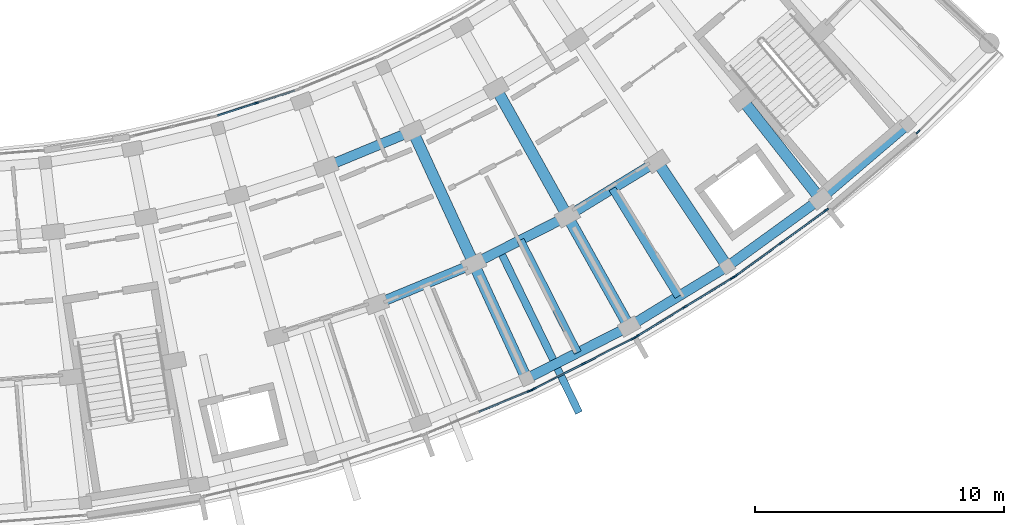
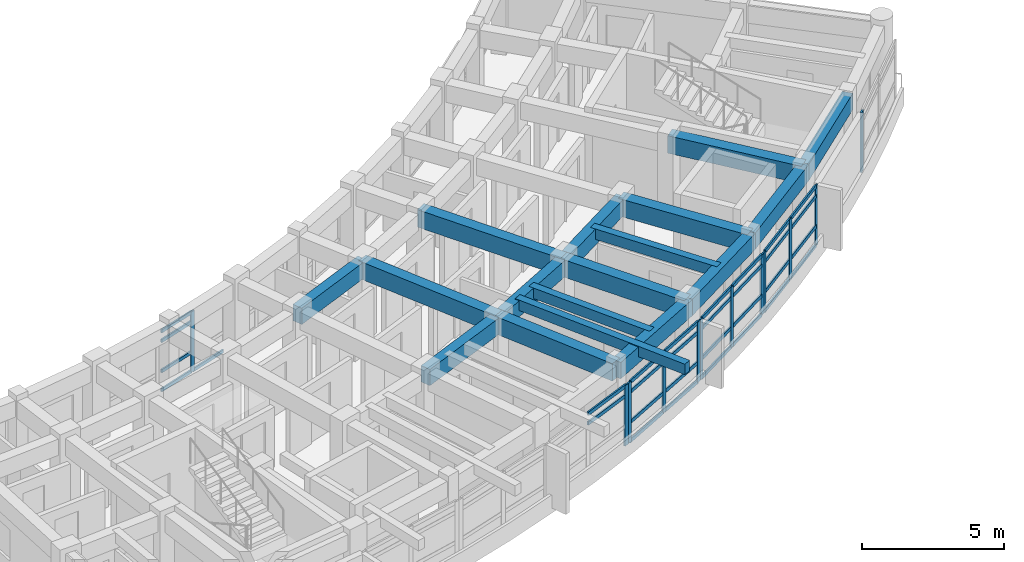
# One storey, part 38 of 83: 43 members, 17 beams, 6 elements without a shape of their own.
"""IFC4 building model written with IfcOpenShell, lengths in metres."""

import ifcopenshell
import ifcopenshell.guid

model = None  # the IFC model being written
_history = None  # IfcOwnerHistory: only IFC2X3 demands one
_inside = {}  # id of a spatial element -> (the spatial element, [elements in it])
_under = {}  # id of a project, library or spatial element -> (it, [spatial elements below it])
_declared = {}  # id of a project -> (the project, [libraries it declares])
_typed = {}  # id of a type object -> (the type object, [elements of that type])
_made_of = {}  # id of a material, layer set ... -> (it, [elements and type objects made of it])


def new_model(schema):
    """Start an empty IFC model of exactly this schema.

    Asked for "IFC4X3", IfcOpenShell would pick the latest addendum, in which some entities
    have other attributes; the version numbers below select the first issue.
    IFC2X3 requires an IfcOwnerHistory on every rooted entity: one is made here for all.
    """
    global model, _history
    if schema == "IFC4X3":
        model = ifcopenshell.file(schema_version=(4, 3, 0, 0))
    else:
        model = ifcopenshell.file(schema=schema)
    _inside.clear()
    _under.clear()
    _declared.clear()
    _typed.clear()
    _made_of.clear()
    _history = None
    if model.schema == "IFC2X3":
        org = make("IfcOrganization", Name="unknown")
        user = make(
            "IfcPersonAndOrganization",
            ThePerson=make("IfcPerson", FamilyName="unknown"),
            TheOrganization=org,
        )
        app = make(
            "IfcApplication",
            ApplicationDeveloper=org,
            Version="unknown",
            ApplicationFullName="unknown",
            ApplicationIdentifier="unknown",
        )
        _history = make(
            "IfcOwnerHistory",
            OwningUser=user,
            OwningApplication=app,
            ChangeAction="ADDED",
            CreationDate=0,
        )
    return model


def make(cls, **values):
    """One entity of the class cls with the attributes given. An attribute that is None is left unset."""
    return model.create_entity(
        cls, **{name: value for name, value in values.items() if value is not None}
    )


def rooted(cls, **values):
    """An entity with a GlobalId (a new one), such as an element, a storey or a relation."""
    return make(cls, GlobalId=ifcopenshell.guid.new(), OwnerHistory=_history, **values)


def si_unit(unit_type, name, prefix=None):
    """IfcSIUnit, for example si_unit("LENGTHUNIT", "METRE", prefix="MILLI")."""
    return make("IfcSIUnit", UnitType=unit_type, Prefix=prefix, Name=name)


def assignment(units):
    """IfcUnitAssignment: the units of a project."""
    return None if units is None else make("IfcUnitAssignment", Units=units)


def point(xyz):
    """IfcCartesianPoint."""
    return None if xyz is None else make("IfcCartesianPoint", Coordinates=xyz)


def direction(xyz):
    """IfcDirection."""
    return None if xyz is None else make("IfcDirection", DirectionRatios=xyz)


def frame(location, z_axis=None, x_axis=None):
    """IfcAxis2Placement3D, a coordinate frame: its origin and axes. An axis left out is left unset."""
    return make(
        "IfcAxis2Placement3D",
        Location=point(location),
        Axis=direction(z_axis),
        RefDirection=direction(x_axis),
    )


def frame_2d(location, x_axis=None):
    """IfcAxis2Placement2D, a coordinate frame in the plane: its origin and x axis."""
    return make(
        "IfcAxis2Placement2D", Location=point(location), RefDirection=direction(x_axis)
    )


def origin():
    """The frame at (0, 0, 0) with its axes left unset."""
    return frame((0.0, 0.0, 0.0))


def origin_2d():
    """The frame at (0, 0) in the plane with its x axis left unset."""
    return frame_2d((0.0, 0.0))


def place(relative_to, where):
    """IfcLocalPlacement: puts the frame where relative to a parent placement (None: the world)."""
    return make(
        "IfcLocalPlacement", PlacementRelTo=relative_to, RelativePlacement=where
    )


def context(
    kind, dimensions, precision=None, world=None, true_north=None, identifier=None
):
    """IfcGeometricRepresentationContext, for example the 3D "Model" context."""
    return make(
        "IfcGeometricRepresentationContext",
        ContextIdentifier=identifier,
        ContextType=kind,
        CoordinateSpaceDimension=dimensions,
        Precision=precision,
        WorldCoordinateSystem=world,
        TrueNorth=true_north,
    )


def subcontext(parent, identifier, kind, view, scale=None):
    """IfcGeometricRepresentationSubContext, for example "Body" below "Model"."""
    return make(
        "IfcGeometricRepresentationSubContext",
        ContextIdentifier=identifier,
        ContextType=kind,
        ParentContext=parent,
        TargetScale=scale,
        TargetView=view,
    )


def project(units=None, contexts=None):
    """IfcProject with its units and contexts."""
    return rooted(
        "IfcProject",
        Name="project",
        RepresentationContexts=contexts,
        UnitsInContext=assignment(units),
    )


def spatial(cls, under=None, at=None, **own):
    """A site, building, storey or space (cls), placed at a placement, below another one or the project."""
    s = rooted(cls, ObjectPlacement=at, **own)
    if under is not None:
        _under.setdefault(under.id(), (under, []))[1].append(s)
    return s


def profile(cls, at=None, kind="AREA", **sizes):
    """A parametric profile (cls). Its sizes go by their IFC names, for example OverallWidth=200.0."""
    return make(cls, ProfileType=kind, Position=at, **sizes)


def rectangle(**sizes):
    """IfcRectangleProfileDef."""
    return profile("IfcRectangleProfileDef", **sizes)


def extrude(swept, where, along, depth):
    """IfcExtrudedAreaSolid: the profile swept, set in the frame where, extruded along a direction by depth."""
    return make(
        "IfcExtrudedAreaSolid",
        SweptArea=swept,
        Position=where,
        ExtrudedDirection=direction(along),
        Depth=depth,
    )


def shape(context_of_items, identifier, shape_type, items):
    """IfcShapeRepresentation: the items that make up one representation, for example the "Body"."""
    return make(
        "IfcShapeRepresentation",
        ContextOfItems=context_of_items,
        RepresentationIdentifier=identifier,
        RepresentationType=shape_type,
        Items=items,
    )


def material(Name=None, Category=None):
    """IfcMaterial."""
    return make("IfcMaterial", Name=Name, Category=Category)


def material_profile(
    of_material, cross_section, Name=None, Category=None, Priority=None
):
    """IfcMaterialProfile: a cross section and its material."""
    return make(
        "IfcMaterialProfile",
        Name=Name,
        Material=of_material,
        Profile=cross_section,
        Priority=Priority,
        Category=Category,
    )


def profile_set(profiles, Name=None, composite=None):
    """IfcMaterialProfileSet."""
    return make(
        "IfcMaterialProfileSet",
        Name=Name,
        MaterialProfiles=profiles,
        CompositeProfile=composite,
    )


def made_of(thing, what):
    """Note that an element or type object is made of a material, layer set ...; save() writes the relation."""
    if what is not None:
        _made_of.setdefault(what.id(), (what, []))[1].append(thing)
    return thing


def type_object(cls, material=None, **own):
    """A type object (cls), such as IfcWallType, which elements share."""
    return made_of(rooted(cls, **own), material)


def element(
    cls,
    number,
    at=None,
    inside=None,
    cuts=None,
    type_object=None,
    material=None,
    context=None,
    identifier="Body",
    shape_type=None,
    held_by="IfcProductDefinitionShape",
    body=None,
    shapes=None,
    **own,
):
    """One element of the class cls, such as IfcWall. Its Tag is "e" and its number.

    at: its placement. inside: the storey or other place that contains it. cuts: it is an
    opening in that element (IfcRelVoidsElement). A single representation is given by context,
    identifier, shape_type and body (its items); several are given by shapes. held_by: the class
    of the entity that holds the representations. save() writes the other relations.
    """
    e = rooted(cls, Tag="e%d" % number, ObjectPlacement=at, **own)
    if body is not None:
        shapes = [shape(context, identifier, shape_type, body)]
    if shapes is not None:
        e.Representation = make(held_by, Representations=shapes)
    if inside is not None:
        _inside.setdefault(inside.id(), (inside, []))[1].append(e)
    if cuts is not None:
        rooted(
            "IfcRelVoidsElement", RelatingBuildingElement=cuts, RelatedOpeningElement=e
        )
    if type_object is not None:
        _typed.setdefault(type_object.id(), (type_object, []))[1].append(e)
    return made_of(e, material)


def aggregate(whole, parts):
    """IfcRelAggregates: a whole, such as a stair, and the parts it consists of."""
    return rooted("IfcRelAggregates", RelatingObject=whole, RelatedObjects=parts)


def save(model, path):
    """Write the relations noted so far, then the file.

    IfcRelAggregates (storeys below a building ...), IfcRelContainedInSpatialStructure (elements
    in a storey), IfcRelDefinesByType, IfcRelAssociatesMaterial and IfcRelDeclares: one each for
    every whole, place, type object, material and project.
    """
    for whole, parts in _under.values():
        aggregate(whole, parts)
    for where, things in _inside.values():
        rooted(
            "IfcRelContainedInSpatialStructure",
            RelatedElements=things,
            RelatingStructure=where,
        )
    for kind, things in _typed.values():
        rooted("IfcRelDefinesByType", RelatedObjects=things, RelatingType=kind)
    for what, things in _made_of.values():
        rooted("IfcRelAssociatesMaterial", RelatedObjects=things, RelatingMaterial=what)
    for by, libraries in _declared.values():
        rooted("IfcRelDeclares", RelatingContext=by, RelatedDefinitions=libraries)
    model.write(path)


model = new_model("IFC4")

# Units and contexts
model_context = context("Model", 3, precision=1e-05, world=origin(), true_north=direction((0.0, 1.0)))
body_context = subcontext(model_context, "Body", "Model", "MODEL_VIEW")
ifc_project = project(units=[si_unit("LENGTHUNIT", "METRE"), si_unit("AREAUNIT", "SQUARE_METRE"), si_unit("VOLUMEUNIT", "CUBIC_METRE"), si_unit("PLANEANGLEUNIT", "RADIAN"), si_unit("MASSUNIT", "GRAM", prefix="KILO")], contexts=[model_context])

# Site, building, storey
site_placement = place(None, origin())
site = spatial("IfcSite", under=ifc_project, at=site_placement, CompositionType="ELEMENT")
building_placement = place(site_placement, origin())
building = spatial("IfcBuilding", under=site, at=building_placement, Name="Zimvara Arc Housing Community", CompositionType="ELEMENT")
storey_placement = place(building_placement, frame((0.0, 0.0, 4.5)))
storey = spatial("IfcBuildingStorey", under=building, at=storey_placement, Name="L01", CompositionType="ELEMENT", Elevation=4.5)

# Beams
ifc_material_1 = material(Name="Concrete C40/50", Category="concrete")
ifc_material_profile_1 = material_profile(ifc_material_1, rectangle(XDim=0.300048828125, YDim=0.449951171875, at=origin_2d()), Name="RC 300x450")
ifc_profile_set_1 = profile_set([ifc_material_profile_1], Name="Concrete C40/50")
beam_type_1 = type_object("IfcBeamType", Name="BM-RC-300x450", PredefinedType="JOIST", material=ifc_profile_set_1)
for number, where, z_axis, x_axis, name in (
    (1, (150.343994140625, 61.939453125, 3.135009765625), (0.453225300679, -0.891395998883, 0.0), (0.891395998883, 0.453225300679, 0.0), "bm:blkD:L01:joist:b5"),
    (2, (154.02880859375, 63.998779296875, 3.135009765625), (0.521755418526, -0.85309511969, 0.0), (0.85309511969, 0.521755418526, 0.0), "bm:blkD:L01:joist:b6"),
):
    element("IfcBeam", number, at=place(storey_placement, frame(where, z_axis=z_axis, x_axis=x_axis)), inside=storey, type_object=beam_type_1, Name=name, PredefinedType="JOIST", context=body_context, shape_type="SweptSolid", body=[
        extrude(rectangle(XDim=0.300048828125, YDim=0.449951171875, at=origin_2d()), origin(), (0.0, 0.0, 1.0), 5.075927734375),
    ])
beam_1_placement = place(storey_placement, frame((149.530517578125, 61.488525390625, 3.1650390625), z_axis=(0.437747988068, -0.89909771379, 0.0), x_axis=(0.89909771379, 0.437747988068, 0.0)))
element("IfcBeam", 3, at=beam_1_placement, inside=storey, type_object=beam_type_1, Name="bm:blkD:L01:cant_out:b5", PredefinedType="JOIST", context=body_context, shape_type="SweptSolid", body=[
    extrude(rectangle(XDim=0.300048828125, YDim=0.449951171875, at=origin_2d()), origin(), (0.0, 0.0, 1.0), 7.22021484375),
])
ifc_material_2 = material(Name="Concrete C40/50", Category="concrete")
ifc_material_profile_2 = material_profile(ifc_material_2, rectangle(XDim=0.39990234375, YDim=0.699951171875, at=origin_2d()), Name="RC 400x700")
ifc_profile_set_2 = profile_set([ifc_material_profile_2], Name="Concrete C40/50")
beam_type_2 = type_object("IfcBeamType", Name="BM-RC-400x700", PredefinedType="BEAM", material=ifc_profile_set_2)
beam_2_placement = place(storey_placement, frame((142.526611328125, 64.887451171875, 3.010009765625), z_axis=(0.924224591922, 0.381849320658, 0.0), x_axis=(-0.381849320658, 0.924224591922, 0.0)))
element("IfcBeam", 4, at=beam_2_placement, inside=storey, type_object=beam_type_2, Name="bm:blkD:L01:chord:r1:b4", PredefinedType="BEAM", context=body_context, shape_type="SweptSolid", body=[
    extrude(rectangle(XDim=0.39990234375, YDim=0.699951171875, at=origin_2d()), origin(), (0.0, 0.0, 1.0), 3.7626953125),
])
beam_3_placement = place(storey_placement, frame((144.55712890625, 59.369140625, 3.010009765625), z_axis=(0.924220191381, 0.381859971512, 0.0), x_axis=(-0.381859971512, 0.924220191381, 0.0)))
element("IfcBeam", 5, at=beam_3_placement, inside=storey, type_object=beam_type_2, Name="bm:blkD:L01:chord:r2:b4", PredefinedType="BEAM", context=body_context, shape_type="SweptSolid", body=[
    extrude(rectangle(XDim=0.39990234375, YDim=0.699951171875, at=origin_2d()), origin(), (0.0, 0.0, 1.0), 4.22412109375),
])
for number, where, z_axis, x_axis, name in (
    (6, (148.461181640625, 60.982177734375, 3.010009765625), (0.891401751243, 0.453213986855, 0.0), (-0.453213986855, 0.891401751243, 0.0), "bm:blkD:L01:chord:r2:b5"),
    (7, (152.226806640625, 62.896728515625, 3.010009765625), (0.853091772331, 0.521760891579, 0.0), (-0.521760891579, 0.853091772331, 0.0), "bm:blkD:L01:chord:r2:b6"),
):
    element("IfcBeam", number, at=place(storey_placement, frame(where, z_axis=z_axis, x_axis=x_axis)), inside=storey, type_object=beam_type_2, Name=name, PredefinedType="BEAM", context=body_context, shape_type="SweptSolid", body=[
        extrude(rectangle(XDim=0.39990234375, YDim=0.699951171875, at=origin_2d()), origin(), (0.0, 0.0, 1.0), 4.224365234375),
    ])
for number, where, z_axis, x_axis, name in (
    (8, (150.583984375, 56.366943359375, 3.010009765625), (0.891386215037, 0.453244542871, 0.0), (-0.453244542871, 0.891386215037, 0.0), "bm:blkD:L01:chord:r3:b5"),
    (9, (154.705078125, 58.46240234375, 3.010009765625), (0.853105562062, 0.521738344363, 0.0), (-0.521738344363, 0.853105562062, 0.0), "bm:blkD:L01:chord:r3:b6"),
    (10, (158.649169921875, 60.87451171875, 3.010009765625), (0.809516329672, 0.587097361598, 0.0), (-0.587097361598, 0.809516329672, 0.0), "bm:blkD:L01:chord:r3:b7"),
    (11, (162.391845703125, 63.5888671875, 3.010009765625), (0.761009534972, 0.648740693715, 0.0), (-0.648740693715, 0.761009534972, 0.0), "bm:blkD:L01:chord:r3:b8"),
):
    element("IfcBeam", number, at=place(storey_placement, frame(where, z_axis=z_axis, x_axis=x_axis)), inside=storey, type_object=beam_type_2, Name=name, PredefinedType="BEAM", context=body_context, shape_type="SweptSolid", body=[
        extrude(rectangle(XDim=0.39990234375, YDim=0.699951171875, at=origin_2d()), origin(), (0.0, 0.0, 1.0), 4.623291015625),
    ])
ifc_material_3 = material(Name="Concrete C40/50", Category="concrete")
ifc_material_profile_3 = material_profile(ifc_material_3, rectangle(XDim=0.449951171875, YDim=0.75, at=origin_2d()), Name="RC 450x750")
ifc_profile_set_3 = profile_set([ifc_material_profile_3], Name="Concrete C40/50")
beam_type_3 = type_object("IfcBeamType", Name="BM-RC-450x750", PredefinedType="BEAM", material=ifc_profile_set_3)
beam_4_placement = place(storey_placement, frame((146.004150390625, 66.32421875, 2.985107421875), z_axis=(0.417862428621, -0.908510314056, 0.0), x_axis=(0.908510314056, 0.417862428621, 0.0)))
element("IfcBeam", 12, at=beam_4_placement, inside=storey, type_object=beam_type_3, Name="bm:blkD:L01:rad:b5:r12", PredefinedType="BEAM", context=body_context, shape_type="SweptSolid", body=[
    extrude(rectangle(XDim=0.449951171875, YDim=0.75, at=origin_2d()), origin(), (0.0, 0.0, 1.0), 5.8798828125),
])
beam_5_placement = place(storey_placement, frame((148.461181640625, 60.982177734375, 2.985107421875), z_axis=(0.417872288794, -0.90850577888, 0.0), x_axis=(0.90850577888, 0.417872288794, 0.0)))
element("IfcBeam", 13, at=beam_5_placement, inside=storey, type_object=beam_type_3, Name="bm:blkD:L01:rad:b5:r23", PredefinedType="BEAM", context=body_context, shape_type="SweptSolid", body=[
    extrude(rectangle(XDim=0.449951171875, YDim=0.75, at=origin_2d()), origin(), (0.0, 0.0, 1.0), 5.080078125),
])
beam_6_placement = place(storey_placement, frame((149.358154296875, 68.029541015625, 2.985107421875), z_axis=(0.487862302556, -0.872920599909, 0.0), x_axis=(0.872920599909, 0.487862302556, 0.0)))
element("IfcBeam", 14, at=beam_6_placement, inside=storey, type_object=beam_type_3, Name="bm:blkD:L01:rad:b6:r12", PredefinedType="BEAM", context=body_context, shape_type="SweptSolid", body=[
    extrude(rectangle(XDim=0.449951171875, YDim=0.75, at=origin_2d()), origin(), (0.0, 0.0, 1.0), 5.880126953125),
])
beam_7_placement = place(storey_placement, frame((152.226806640625, 62.896728515625, 2.985107421875), z_axis=(0.48786121213, -0.872921209331, 0.0), x_axis=(0.872921209331, 0.48786121213, 0.0)))
element("IfcBeam", 15, at=beam_7_placement, inside=storey, type_object=beam_type_3, Name="bm:blkD:L01:rad:b6:r23", PredefinedType="BEAM", context=body_context, shape_type="SweptSolid", body=[
    extrude(rectangle(XDim=0.449951171875, YDim=0.75, at=origin_2d()), origin(), (0.0, 0.0, 1.0), 5.079833984375),
])
beam_8_placement = place(storey_placement, frame((155.83056640625, 65.100830078125, 2.985107421875), z_axis=(0.554844365732, -0.83195416329, 0.0), x_axis=(0.83195416329, 0.554844365732, 0.0)))
element("IfcBeam", 16, at=beam_8_placement, inside=storey, type_object=beam_type_3, Name="bm:blkD:L01:rad:b7:r23", PredefinedType="BEAM", context=body_context, shape_type="SweptSolid", body=[
    extrude(rectangle(XDim=0.449951171875, YDim=0.75, at=origin_2d()), origin(), (0.0, 0.0, 1.0), 5.080078125),
])
beam_9_placement = place(storey_placement, frame((159.25048828125, 67.580810546875, 2.985107421875), z_axis=(0.618409338539, -0.785856150964, 0.0), x_axis=(0.785856150964, 0.618409338539, 0.0)))
element("IfcBeam", 17, at=beam_9_placement, inside=storey, type_object=beam_type_3, Name="bm:blkD:L01:rad:b8:r23", PredefinedType="BEAM", context=body_context, shape_type="SweptSolid", body=[
    extrude(rectangle(XDim=0.449951171875, YDim=0.75, at=origin_2d()), origin(), (0.0, 0.0, 1.0), 5.079833984375),
])

# Curtain wall, member
ifc_material_4 = material(Name="Anodised Aluminium AW-6063", Category="aluminium")
curtain_wall_type_1 = type_object("IfcCurtainWallType", Name="CW-SYS-02", PredefinedType="USERDEFINED", material=ifc_material_4)
curtain_wall_1_placement = place(storey_placement, origin())
curtain_wall_1 = element("IfcCurtainWall", 18, at=curtain_wall_1_placement, inside=storey, type_object=curtain_wall_type_1, Name="cw:blkD:L01:in:b3", ObjectType="CURTAIN WALL", PredefinedType="USERDEFINED")
ifc_material_5 = material(Name="Anodised Aluminium AW-6063", Category="aluminium")
ifc_material_profile_4 = material_profile(ifc_material_5, rectangle(XDim=0.06494140625, YDim=0.179931640625, at=origin_2d()), Name="ALU 65x180")
ifc_profile_set_4 = profile_set([ifc_material_profile_4], Name="Anodised Aluminium AW-6063")
member_type_1 = type_object("IfcMemberType", Name="CWM-65x150", PredefinedType="MULLION", material=ifc_profile_set_4)
member_1_placement = place(storey_placement, frame((139.720703125, 67.444580078125, 0.0), z_axis=(0.0, 0.0, 1.0), x_axis=(-0.308185223559, 0.951326373008, 0.0)))
member_1 = element("IfcMember", 19, at=member_1_placement, type_object=member_type_1, Name="CW02 mullion 2", PredefinedType="MULLION", context=body_context, shape_type="SweptSolid", body=[
    extrude(rectangle(XDim=0.06494140625, YDim=0.179931640625, at=origin_2d()), origin(), (0.0, 0.0, 1.0), 2.60009765625),
])

ifc_material_6 = material(Name="Anodised Aluminium AW-6063", Category="aluminium")
curtain_wall_type_2 = type_object("IfcCurtainWallType", Name="CW-SYS-03", PredefinedType="USERDEFINED", material=ifc_material_6)
curtain_wall_2_placement = place(storey_placement, origin())
curtain_wall_2 = element("IfcCurtainWall", 20, at=curtain_wall_2_placement, inside=storey, type_object=curtain_wall_type_2, Name="cw:blkD:L01:out:b4", ObjectType="CURTAIN WALL", PredefinedType="USERDEFINED")
ifc_material_7 = material(Name="Anodised Aluminium AW-6063", Category="aluminium")
ifc_material_profile_5 = material_profile(ifc_material_7, rectangle(XDim=0.06494140625, YDim=0.195068359375, at=origin_2d()), Name="ALU 65x195")
ifc_profile_set_5 = profile_set([ifc_material_profile_5], Name="Anodised Aluminium AW-6063")
member_type_2 = type_object("IfcMemberType", Name="CWM-65x180", PredefinedType="MULLION", material=ifc_profile_set_5)
member_2_placement = place(storey_placement, frame((150.70751953125, 55.87744140625, 0.0), z_axis=(0.0, 0.0, 1.0), x_axis=(-0.38187646221, 0.924213377749, 0.0)))
member_2 = element("IfcMember", 21, at=member_2_placement, type_object=member_type_2, Name="CW03 mullion 3", PredefinedType="MULLION", context=body_context, shape_type="SweptSolid", body=[
    extrude(rectangle(XDim=0.06494140625, YDim=0.195068359375, at=origin_2d()), origin(), (0.0, 0.0, 1.0), 2.60009765625),
])

# Curtain wall, members
ifc_material_8 = material(Name="Anodised Aluminium AW-6063", Category="aluminium")
curtain_wall_type_3 = type_object("IfcCurtainWallType", Name="CW-SYS-05", PredefinedType="USERDEFINED", material=ifc_material_8)
curtain_wall_3_placement = place(storey_placement, origin())
curtain_wall_3 = element("IfcCurtainWall", 22, at=curtain_wall_3_placement, inside=storey, type_object=curtain_wall_type_3, Name="cw:blkD:L01:out:b5", ObjectType="CURTAIN WALL", PredefinedType="USERDEFINED")
member_3_placement = place(storey_placement, frame((150.87548828125, 55.95458984375, 0.0), z_axis=(0.0, 0.0, 1.0), x_axis=(-0.453211662605, 0.891402932954, 0.0)))
member_3 = element("IfcMember", 23, at=member_3_placement, type_object=member_type_2, Name="CW05 mullion 1", PredefinedType="MULLION", context=body_context, shape_type="SweptSolid", body=[
    extrude(rectangle(XDim=0.06494140625, YDim=0.195068359375, at=origin_2d()), origin(), (0.0, 0.0, 1.0), 2.60009765625),
])
member_4_placement = place(storey_placement, frame((152.87109375, 56.96923828125, 0.0), z_axis=(0.0, 0.0, 1.0), x_axis=(-0.453211662605, 0.891402932954, 0.0)))
member_4 = element("IfcMember", 24, at=member_4_placement, type_object=member_type_2, Name="CW05 mullion 2", PredefinedType="MULLION", context=body_context, shape_type="SweptSolid", body=[
    extrude(rectangle(XDim=0.06494140625, YDim=0.195068359375, at=origin_2d()), origin(), (0.0, 0.0, 1.0), 2.60009765625),
])
member_5_placement = place(storey_placement, frame((154.86669921875, 57.98388671875, 0.0), z_axis=(0.0, 0.0, 1.0), x_axis=(-0.453211662605, 0.891402932954, 0.0)))
member_5 = element("IfcMember", 25, at=member_5_placement, type_object=member_type_2, Name="CW05 mullion 3", PredefinedType="MULLION", context=body_context, shape_type="SweptSolid", body=[
    extrude(rectangle(XDim=0.06494140625, YDim=0.195068359375, at=origin_2d()), origin(), (0.0, 0.0, 1.0), 2.60009765625),
])

ifc_material_9 = material(Name="Anodised Aluminium AW-6063", Category="aluminium")
curtain_wall_type_4 = type_object("IfcCurtainWallType", Name="CW-SYS-07", PredefinedType="USERDEFINED", material=ifc_material_9)
curtain_wall_4_placement = place(storey_placement, origin())
curtain_wall_4 = element("IfcCurtainWall", 26, at=curtain_wall_4_placement, inside=storey, type_object=curtain_wall_type_4, Name="cw:blkD:L01:out:b6", ObjectType="CURTAIN WALL", PredefinedType="USERDEFINED")
member_6_placement = place(storey_placement, frame((155.028076171875, 58.07421875, 0.0), z_axis=(0.0, 0.0, 1.0), x_axis=(-0.521754248513, 0.853095835272, 0.0)))
member_6 = element("IfcMember", 27, at=member_6_placement, type_object=member_type_2, Name="CW07 mullion 1", PredefinedType="MULLION", context=body_context, shape_type="SweptSolid", body=[
    extrude(rectangle(XDim=0.06494140625, YDim=0.195068359375, at=origin_2d()), origin(), (0.0, 0.0, 1.0), 2.60009765625),
])
member_7_placement = place(storey_placement, frame((156.93798828125, 59.2421875, 0.0), z_axis=(0.0, 0.0, 1.0), x_axis=(-0.521754248513, 0.853095835272, 0.0)))
member_7 = element("IfcMember", 28, at=member_7_placement, type_object=member_type_2, Name="CW07 mullion 2", PredefinedType="MULLION", context=body_context, shape_type="SweptSolid", body=[
    extrude(rectangle(XDim=0.06494140625, YDim=0.195068359375, at=origin_2d()), origin(), (0.0, 0.0, 1.0), 2.60009765625),
])
member_8_placement = place(storey_placement, frame((158.84765625, 60.410400390625, 0.0), z_axis=(0.0, 0.0, 1.0), x_axis=(-0.521754248513, 0.853095835272, 0.0)))
member_8 = element("IfcMember", 29, at=member_8_placement, type_object=member_type_2, Name="CW07 mullion 3", PredefinedType="MULLION", context=body_context, shape_type="SweptSolid", body=[
    extrude(rectangle(XDim=0.06494140625, YDim=0.195068359375, at=origin_2d()), origin(), (0.0, 0.0, 1.0), 2.60009765625),
])

ifc_material_10 = material(Name="Anodised Aluminium AW-6063", Category="aluminium")
curtain_wall_type_5 = type_object("IfcCurtainWallType", Name="CW-SYS-01", PredefinedType="USERDEFINED", material=ifc_material_10)
curtain_wall_5_placement = place(storey_placement, origin())
curtain_wall_5 = element("IfcCurtainWall", 30, at=curtain_wall_5_placement, inside=storey, type_object=curtain_wall_type_5, Name="cw:blkD:L01:out:b7", ObjectType="CURTAIN WALL", PredefinedType="USERDEFINED")
member_9_placement = place(storey_placement, frame((159.00146484375, 60.512939453125, 0.0), z_axis=(0.0, 0.0, 1.0), x_axis=(-0.587077917196, 0.809530431263, 0.0)))
member_9 = element("IfcMember", 31, at=member_9_placement, type_object=member_type_2, Name="CW01 mullion 1", PredefinedType="MULLION", context=body_context, shape_type="SweptSolid", body=[
    extrude(rectangle(XDim=0.06494140625, YDim=0.195068359375, at=origin_2d()), origin(), (0.0, 0.0, 1.0), 2.60009765625),
])
member_10_placement = place(storey_placement, frame((160.81396484375, 61.8271484375, 0.0), z_axis=(0.0, 0.0, 1.0), x_axis=(-0.587077917196, 0.809530431263, 0.0)))
member_10 = element("IfcMember", 32, at=member_10_placement, type_object=member_type_2, Name="CW01 mullion 2", PredefinedType="MULLION", context=body_context, shape_type="SweptSolid", body=[
    extrude(rectangle(XDim=0.06494140625, YDim=0.195068359375, at=origin_2d()), origin(), (0.0, 0.0, 1.0), 2.60009765625),
])
member_11_placement = place(storey_placement, frame((162.626220703125, 63.1416015625, 0.0), z_axis=(0.0, 0.0, 1.0), x_axis=(-0.587077917196, 0.809530431263, 0.0)))
member_11 = element("IfcMember", 33, at=member_11_placement, type_object=member_type_2, Name="CW01 mullion 3", PredefinedType="MULLION", context=body_context, shape_type="SweptSolid", body=[
    extrude(rectangle(XDim=0.06494140625, YDim=0.195068359375, at=origin_2d()), origin(), (0.0, 0.0, 1.0), 2.60009765625),
])

# Curtain wall, member
curtain_wall_6_placement = place(storey_placement, origin())
curtain_wall_6 = element("IfcCurtainWall", 34, at=curtain_wall_6_placement, inside=storey, type_object=curtain_wall_type_2, Name="cw:blkD:L01:out:b9", ObjectType="CURTAIN WALL", PredefinedType="USERDEFINED")
member_12_placement = place(storey_placement, frame((166.314697265625, 66.2861328125, 0.0), z_axis=(0.0, 0.0, 1.0), x_axis=(-0.706489010891, 0.707724012233, 0.0)))
member_12 = element("IfcMember", 35, at=member_12_placement, type_object=member_type_2, Name="CW03 mullion 1", PredefinedType="MULLION", context=body_context, shape_type="SweptSolid", body=[
    extrude(rectangle(XDim=0.06494140625, YDim=0.195068359375, at=origin_2d()), origin(), (0.0, 0.0, 1.0), 2.60009765625),
])
aggregate(curtain_wall_6, [member_12])

# Member
ifc_material_11 = material(Name="Anodised Aluminium AW-6063", Category="aluminium")
ifc_material_profile_6 = material_profile(ifc_material_11, rectangle(XDim=0.06494140625, YDim=0.139892578125, at=origin_2d()), Name="ALU 65x140")
ifc_profile_set_6 = profile_set([ifc_material_profile_6], Name="Anodised Aluminium AW-6063")
member_type_3 = type_object("IfcMemberType", Name="CWT-65x120", PredefinedType="USERDEFINED", material=ifc_profile_set_6)
member_13_placement = place(storey_placement, frame((138.173095703125, 66.943115234375, 0.032470703125), z_axis=(0.951299308569, 0.308268755336, 0.0), x_axis=(-0.308268755336, 0.951299308569, 0.0)))
member_13 = element("IfcMember", 36, at=member_13_placement, type_object=member_type_3, Name="CW02 transom 1.1", ObjectType="TRANSOM", PredefinedType="USERDEFINED", context=body_context, shape_type="SweptSolid", body=[
    extrude(rectangle(XDim=0.06494140625, YDim=0.139892578125, at=origin_2d()), origin(), (0.0, 0.0, 1.0), 1.59423828125),
])

member_14_placement = place(storey_placement, frame((138.173095703125, 66.943115234375, 0.85009765625), z_axis=(0.951299308569, 0.308268755336, 0.0), x_axis=(-0.308268755336, 0.951299308569, 0.0)))
member_14 = element("IfcMember", 37, at=member_14_placement, type_object=member_type_3, Name="CW02 transom 1.2", ObjectType="TRANSOM", PredefinedType="USERDEFINED", context=body_context, shape_type="SweptSolid", body=[
    extrude(rectangle(XDim=0.06494140625, YDim=0.139892578125, at=origin_2d()), origin(), (0.0, 0.0, 1.0), 1.59423828125),
])

member_15_placement = place(storey_placement, frame((138.173095703125, 66.943115234375, 2.14990234375), z_axis=(0.951299308569, 0.308268755336, 0.0), x_axis=(-0.308268755336, 0.951299308569, 0.0)))
member_15 = element("IfcMember", 38, at=member_15_placement, type_object=member_type_3, Name="CW02 transom 1.3", ObjectType="TRANSOM", PredefinedType="USERDEFINED", context=body_context, shape_type="SweptSolid", body=[
    extrude(rectangle(XDim=0.06494140625, YDim=0.139892578125, at=origin_2d()), origin(), (0.0, 0.0, 1.0), 1.59423828125),
])

member_16_placement = place(storey_placement, frame((138.173095703125, 66.943115234375, 2.5673828125), z_axis=(0.951299308569, 0.308268755336, 0.0), x_axis=(-0.308268755336, 0.951299308569, 0.0)))
member_16 = element("IfcMember", 39, at=member_16_placement, type_object=member_type_3, Name="CW02 transom 1.4", ObjectType="TRANSOM", PredefinedType="USERDEFINED", context=body_context, shape_type="SweptSolid", body=[
    extrude(rectangle(XDim=0.06494140625, YDim=0.139892578125, at=origin_2d()), origin(), (0.0, 0.0, 1.0), 1.59423828125),
])

member_17_placement = place(storey_placement, frame((139.751708984375, 67.45458984375, 0.032470703125), z_axis=(0.951344209493, 0.308130159289, 0.0), x_axis=(-0.308130159289, 0.951344209493, 0.0)))
member_17 = element("IfcMember", 40, at=member_17_placement, type_object=member_type_3, Name="CW02 transom 2.1", ObjectType="TRANSOM", PredefinedType="USERDEFINED", context=body_context, shape_type="SweptSolid", body=[
    extrude(rectangle(XDim=0.06494140625, YDim=0.139892578125, at=origin_2d()), origin(), (0.0, 0.0, 1.0), 1.59423828125),
])

aggregate(curtain_wall_1, [member_1, member_13, member_14, member_15, member_16, member_17])

ifc_material_12 = material(Name="Anodised Aluminium AW-6063", Category="aluminium")
ifc_material_profile_7 = material_profile(ifc_material_12, rectangle(XDim=0.06494140625, YDim=0.155029296875, at=origin_2d()), Name="ALU 65x155")
ifc_profile_set_7 = profile_set([ifc_material_profile_7], Name="Anodised Aluminium AW-6063")
member_type_4 = type_object("IfcMemberType", Name="CWT-65x140", PredefinedType="USERDEFINED", material=ifc_profile_set_7)
member_18_placement = place(storey_placement, frame((148.66845703125, 55.034912109375, 2.14990234375), z_axis=(0.924219207316, 0.381862353248, 0.0), x_axis=(-0.381862353248, 0.924219207316, 0.0)))
member_18 = element("IfcMember", 41, at=member_18_placement, type_object=member_type_4, Name="CW03 transom 2.3", ObjectType="TRANSOM", PredefinedType="USERDEFINED", context=body_context, shape_type="SweptSolid", body=[
    extrude(rectangle(XDim=0.06494140625, YDim=0.155029296875, at=origin_2d()), origin(), (0.0, 0.0, 1.0), 2.173828125),
])

member_19_placement = place(storey_placement, frame((148.66845703125, 55.034912109375, 2.5673828125), z_axis=(0.924219207316, 0.381862353248, 0.0), x_axis=(-0.381862353248, 0.924219207316, 0.0)))
member_19 = element("IfcMember", 42, at=member_19_placement, type_object=member_type_4, Name="CW03 transom 2.4", ObjectType="TRANSOM", PredefinedType="USERDEFINED", context=body_context, shape_type="SweptSolid", body=[
    extrude(rectangle(XDim=0.06494140625, YDim=0.155029296875, at=origin_2d()), origin(), (0.0, 0.0, 1.0), 2.173828125),
])

aggregate(curtain_wall_2, [member_2, member_18, member_19])

member_20_placement = place(storey_placement, frame((150.904296875, 55.969482421875, 0.032470703125), z_axis=(0.891419736395, 0.453178611107, 0.0), x_axis=(-0.453178611107, 0.891419736395, 0.0)))
member_20 = element("IfcMember", 43, at=member_20_placement, type_object=member_type_4, Name="CW05 transom 1.1", ObjectType="TRANSOM", PredefinedType="USERDEFINED", context=body_context, shape_type="SweptSolid", body=[
    extrude(rectangle(XDim=0.06494140625, YDim=0.155029296875, at=origin_2d()), origin(), (0.0, 0.0, 1.0), 2.173828125),
])

member_21_placement = place(storey_placement, frame((150.904296875, 55.969482421875, 0.85009765625), z_axis=(0.891419736395, 0.453178611107, 0.0), x_axis=(-0.453178611107, 0.891419736395, 0.0)))
member_21 = element("IfcMember", 44, at=member_21_placement, type_object=member_type_4, Name="CW05 transom 1.2", ObjectType="TRANSOM", PredefinedType="USERDEFINED", context=body_context, shape_type="SweptSolid", body=[
    extrude(rectangle(XDim=0.06494140625, YDim=0.155029296875, at=origin_2d()), origin(), (0.0, 0.0, 1.0), 2.173828125),
])

member_22_placement = place(storey_placement, frame((150.904296875, 55.969482421875, 2.14990234375), z_axis=(0.891419736395, 0.453178611107, 0.0), x_axis=(-0.453178611107, 0.891419736395, 0.0)))
member_22 = element("IfcMember", 45, at=member_22_placement, type_object=member_type_4, Name="CW05 transom 1.3", ObjectType="TRANSOM", PredefinedType="USERDEFINED", context=body_context, shape_type="SweptSolid", body=[
    extrude(rectangle(XDim=0.06494140625, YDim=0.155029296875, at=origin_2d()), origin(), (0.0, 0.0, 1.0), 2.173828125),
])

member_23_placement = place(storey_placement, frame((150.904296875, 55.969482421875, 2.5673828125), z_axis=(0.891419736395, 0.453178611107, 0.0), x_axis=(-0.453178611107, 0.891419736395, 0.0)))
member_23 = element("IfcMember", 46, at=member_23_placement, type_object=member_type_4, Name="CW05 transom 1.4", ObjectType="TRANSOM", PredefinedType="USERDEFINED", context=body_context, shape_type="SweptSolid", body=[
    extrude(rectangle(XDim=0.06494140625, YDim=0.155029296875, at=origin_2d()), origin(), (0.0, 0.0, 1.0), 2.173828125),
])

member_24_placement = place(storey_placement, frame((152.89990234375, 56.984130859375, 0.032470703125), z_axis=(0.891419736395, 0.453178611107, 0.0), x_axis=(-0.453178611107, 0.891419736395, 0.0)))
member_24 = element("IfcMember", 47, at=member_24_placement, type_object=member_type_4, Name="CW05 transom 2.1", ObjectType="TRANSOM", PredefinedType="USERDEFINED", context=body_context, shape_type="SweptSolid", body=[
    extrude(rectangle(XDim=0.06494140625, YDim=0.155029296875, at=origin_2d()), origin(), (0.0, 0.0, 1.0), 2.173828125),
])

member_25_placement = place(storey_placement, frame((152.89990234375, 56.984130859375, 0.85009765625), z_axis=(0.891419736395, 0.453178611107, 0.0), x_axis=(-0.453178611107, 0.891419736395, 0.0)))
member_25 = element("IfcMember", 48, at=member_25_placement, type_object=member_type_4, Name="CW05 transom 2.2", ObjectType="TRANSOM", PredefinedType="USERDEFINED", context=body_context, shape_type="SweptSolid", body=[
    extrude(rectangle(XDim=0.06494140625, YDim=0.155029296875, at=origin_2d()), origin(), (0.0, 0.0, 1.0), 2.173828125),
])

member_26_placement = place(storey_placement, frame((152.89990234375, 56.984130859375, 2.14990234375), z_axis=(0.891419736395, 0.453178611107, 0.0), x_axis=(-0.453178611107, 0.891419736395, 0.0)))
member_26 = element("IfcMember", 49, at=member_26_placement, type_object=member_type_4, Name="CW05 transom 2.3", ObjectType="TRANSOM", PredefinedType="USERDEFINED", context=body_context, shape_type="SweptSolid", body=[
    extrude(rectangle(XDim=0.06494140625, YDim=0.155029296875, at=origin_2d()), origin(), (0.0, 0.0, 1.0), 2.173828125),
])

member_27_placement = place(storey_placement, frame((152.89990234375, 56.984130859375, 2.5673828125), z_axis=(0.891419736395, 0.453178611107, 0.0), x_axis=(-0.453178611107, 0.891419736395, 0.0)))
member_27 = element("IfcMember", 50, at=member_27_placement, type_object=member_type_4, Name="CW05 transom 2.4", ObjectType="TRANSOM", PredefinedType="USERDEFINED", context=body_context, shape_type="SweptSolid", body=[
    extrude(rectangle(XDim=0.06494140625, YDim=0.155029296875, at=origin_2d()), origin(), (0.0, 0.0, 1.0), 2.173828125),
])

aggregate(curtain_wall_3, [member_3, member_4, member_5, member_20, member_21, member_22, member_23, member_24, member_25, member_26, member_27])

member_28_placement = place(storey_placement, frame((155.0556640625, 58.091064453125, 0.032470703125), z_axis=(0.85308189023, 0.521777048711, 0.0), x_axis=(-0.521777048711, 0.85308189023, 0.0)))
member_28 = element("IfcMember", 51, at=member_28_placement, type_object=member_type_4, Name="CW07 transom 1.1", ObjectType="TRANSOM", PredefinedType="USERDEFINED", context=body_context, shape_type="SweptSolid", body=[
    extrude(rectangle(XDim=0.06494140625, YDim=0.155029296875, at=origin_2d()), origin(), (0.0, 0.0, 1.0), 2.173828125),
])

member_29_placement = place(storey_placement, frame((155.0556640625, 58.091064453125, 0.85009765625), z_axis=(0.85308189023, 0.521777048711, 0.0), x_axis=(-0.521777048711, 0.85308189023, 0.0)))
member_29 = element("IfcMember", 52, at=member_29_placement, type_object=member_type_4, Name="CW07 transom 1.2", ObjectType="TRANSOM", PredefinedType="USERDEFINED", context=body_context, shape_type="SweptSolid", body=[
    extrude(rectangle(XDim=0.06494140625, YDim=0.155029296875, at=origin_2d()), origin(), (0.0, 0.0, 1.0), 2.173828125),
])

member_30_placement = place(storey_placement, frame((155.0556640625, 58.091064453125, 2.14990234375), z_axis=(0.85308189023, 0.521777048711, 0.0), x_axis=(-0.521777048711, 0.85308189023, 0.0)))
member_30 = element("IfcMember", 53, at=member_30_placement, type_object=member_type_4, Name="CW07 transom 1.3", ObjectType="TRANSOM", PredefinedType="USERDEFINED", context=body_context, shape_type="SweptSolid", body=[
    extrude(rectangle(XDim=0.06494140625, YDim=0.155029296875, at=origin_2d()), origin(), (0.0, 0.0, 1.0), 2.173828125),
])

member_31_placement = place(storey_placement, frame((155.0556640625, 58.091064453125, 2.5673828125), z_axis=(0.85308189023, 0.521777048711, 0.0), x_axis=(-0.521777048711, 0.85308189023, 0.0)))
member_31 = element("IfcMember", 54, at=member_31_placement, type_object=member_type_4, Name="CW07 transom 1.4", ObjectType="TRANSOM", PredefinedType="USERDEFINED", context=body_context, shape_type="SweptSolid", body=[
    extrude(rectangle(XDim=0.06494140625, YDim=0.155029296875, at=origin_2d()), origin(), (0.0, 0.0, 1.0), 2.173828125),
])

member_32_placement = place(storey_placement, frame((156.965576171875, 59.25927734375, 0.032470703125), z_axis=(0.853131879051, 0.521695310452, 0.0), x_axis=(-0.521695310452, 0.853131879051, 0.0)))
member_32 = element("IfcMember", 55, at=member_32_placement, type_object=member_type_4, Name="CW07 transom 2.1", ObjectType="TRANSOM", PredefinedType="USERDEFINED", context=body_context, shape_type="SweptSolid", body=[
    extrude(rectangle(XDim=0.06494140625, YDim=0.155029296875, at=origin_2d()), origin(), (0.0, 0.0, 1.0), 2.173828125),
])

member_33_placement = place(storey_placement, frame((156.965576171875, 59.25927734375, 0.85009765625), z_axis=(0.853131879051, 0.521695310452, 0.0), x_axis=(-0.521695310452, 0.853131879051, 0.0)))
member_33 = element("IfcMember", 56, at=member_33_placement, type_object=member_type_4, Name="CW07 transom 2.2", ObjectType="TRANSOM", PredefinedType="USERDEFINED", context=body_context, shape_type="SweptSolid", body=[
    extrude(rectangle(XDim=0.06494140625, YDim=0.155029296875, at=origin_2d()), origin(), (0.0, 0.0, 1.0), 2.173828125),
])

member_34_placement = place(storey_placement, frame((156.965576171875, 59.25927734375, 2.14990234375), z_axis=(0.853131879051, 0.521695310452, 0.0), x_axis=(-0.521695310452, 0.853131879051, 0.0)))
member_34 = element("IfcMember", 57, at=member_34_placement, type_object=member_type_4, Name="CW07 transom 2.3", ObjectType="TRANSOM", PredefinedType="USERDEFINED", context=body_context, shape_type="SweptSolid", body=[
    extrude(rectangle(XDim=0.06494140625, YDim=0.155029296875, at=origin_2d()), origin(), (0.0, 0.0, 1.0), 2.173828125),
])

member_35_placement = place(storey_placement, frame((156.965576171875, 59.25927734375, 2.5673828125), z_axis=(0.853131879051, 0.521695310452, 0.0), x_axis=(-0.521695310452, 0.853131879051, 0.0)))
member_35 = element("IfcMember", 58, at=member_35_placement, type_object=member_type_4, Name="CW07 transom 2.4", ObjectType="TRANSOM", PredefinedType="USERDEFINED", context=body_context, shape_type="SweptSolid", body=[
    extrude(rectangle(XDim=0.06494140625, YDim=0.155029296875, at=origin_2d()), origin(), (0.0, 0.0, 1.0), 2.173828125),
])

aggregate(curtain_wall_4, [member_6, member_7, member_8, member_28, member_29, member_30, member_31, member_32, member_33, member_34, member_35])

member_36_placement = place(storey_placement, frame((159.02783203125, 60.531982421875, 0.032470703125), z_axis=(0.80954639163, 0.587055908581, 0.0), x_axis=(-0.587055908581, 0.80954639163, 0.0)))
member_36 = element("IfcMember", 59, at=member_36_placement, type_object=member_type_4, Name="CW01 transom 1.1", ObjectType="TRANSOM", PredefinedType="USERDEFINED", context=body_context, shape_type="SweptSolid", body=[
    extrude(rectangle(XDim=0.06494140625, YDim=0.155029296875, at=origin_2d()), origin(), (0.0, 0.0, 1.0), 2.173828125),
])

member_37_placement = place(storey_placement, frame((159.02783203125, 60.531982421875, 0.85009765625), z_axis=(0.80954639163, 0.587055908581, 0.0), x_axis=(-0.587055908581, 0.80954639163, 0.0)))
member_37 = element("IfcMember", 60, at=member_37_placement, type_object=member_type_4, Name="CW01 transom 1.2", ObjectType="TRANSOM", PredefinedType="USERDEFINED", context=body_context, shape_type="SweptSolid", body=[
    extrude(rectangle(XDim=0.06494140625, YDim=0.155029296875, at=origin_2d()), origin(), (0.0, 0.0, 1.0), 2.173828125),
])

member_38_placement = place(storey_placement, frame((159.02783203125, 60.531982421875, 2.14990234375), z_axis=(0.80954639163, 0.587055908581, 0.0), x_axis=(-0.587055908581, 0.80954639163, 0.0)))
member_38 = element("IfcMember", 61, at=member_38_placement, type_object=member_type_4, Name="CW01 transom 1.3", ObjectType="TRANSOM", PredefinedType="USERDEFINED", context=body_context, shape_type="SweptSolid", body=[
    extrude(rectangle(XDim=0.06494140625, YDim=0.155029296875, at=origin_2d()), origin(), (0.0, 0.0, 1.0), 2.173828125),
])

member_39_placement = place(storey_placement, frame((159.02783203125, 60.531982421875, 2.5673828125), z_axis=(0.80954639163, 0.587055908581, 0.0), x_axis=(-0.587055908581, 0.80954639163, 0.0)))
member_39 = element("IfcMember", 62, at=member_39_placement, type_object=member_type_4, Name="CW01 transom 1.4", ObjectType="TRANSOM", PredefinedType="USERDEFINED", context=body_context, shape_type="SweptSolid", body=[
    extrude(rectangle(XDim=0.06494140625, YDim=0.155029296875, at=origin_2d()), origin(), (0.0, 0.0, 1.0), 2.173828125),
])

member_40_placement = place(storey_placement, frame((160.840087890625, 61.84619140625, 0.032470703125), z_axis=(0.80954639163, 0.587055908581, 0.0), x_axis=(-0.587055908581, 0.80954639163, 0.0)))
member_40 = element("IfcMember", 63, at=member_40_placement, type_object=member_type_4, Name="CW01 transom 2.1", ObjectType="TRANSOM", PredefinedType="USERDEFINED", context=body_context, shape_type="SweptSolid", body=[
    extrude(rectangle(XDim=0.06494140625, YDim=0.155029296875, at=origin_2d()), origin(), (0.0, 0.0, 1.0), 2.173828125),
])

member_41_placement = place(storey_placement, frame((160.840087890625, 61.84619140625, 0.85009765625), z_axis=(0.80954639163, 0.587055908581, 0.0), x_axis=(-0.587055908581, 0.80954639163, 0.0)))
member_41 = element("IfcMember", 64, at=member_41_placement, type_object=member_type_4, Name="CW01 transom 2.2", ObjectType="TRANSOM", PredefinedType="USERDEFINED", context=body_context, shape_type="SweptSolid", body=[
    extrude(rectangle(XDim=0.06494140625, YDim=0.155029296875, at=origin_2d()), origin(), (0.0, 0.0, 1.0), 2.173828125),
])

member_42_placement = place(storey_placement, frame((160.840087890625, 61.84619140625, 2.14990234375), z_axis=(0.80954639163, 0.587055908581, 0.0), x_axis=(-0.587055908581, 0.80954639163, 0.0)))
member_42 = element("IfcMember", 65, at=member_42_placement, type_object=member_type_4, Name="CW01 transom 2.3", ObjectType="TRANSOM", PredefinedType="USERDEFINED", context=body_context, shape_type="SweptSolid", body=[
    extrude(rectangle(XDim=0.06494140625, YDim=0.155029296875, at=origin_2d()), origin(), (0.0, 0.0, 1.0), 2.173828125),
])

member_43_placement = place(storey_placement, frame((160.840087890625, 61.84619140625, 2.5673828125), z_axis=(0.80954639163, 0.587055908581, 0.0), x_axis=(-0.587055908581, 0.80954639163, 0.0)))
member_43 = element("IfcMember", 66, at=member_43_placement, type_object=member_type_4, Name="CW01 transom 2.4", ObjectType="TRANSOM", PredefinedType="USERDEFINED", context=body_context, shape_type="SweptSolid", body=[
    extrude(rectangle(XDim=0.06494140625, YDim=0.155029296875, at=origin_2d()), origin(), (0.0, 0.0, 1.0), 2.173828125),
])

aggregate(curtain_wall_5, [member_9, member_10, member_11, member_36, member_37, member_38, member_39, member_40, member_41, member_42, member_43])

save(model, "model.ifc")
